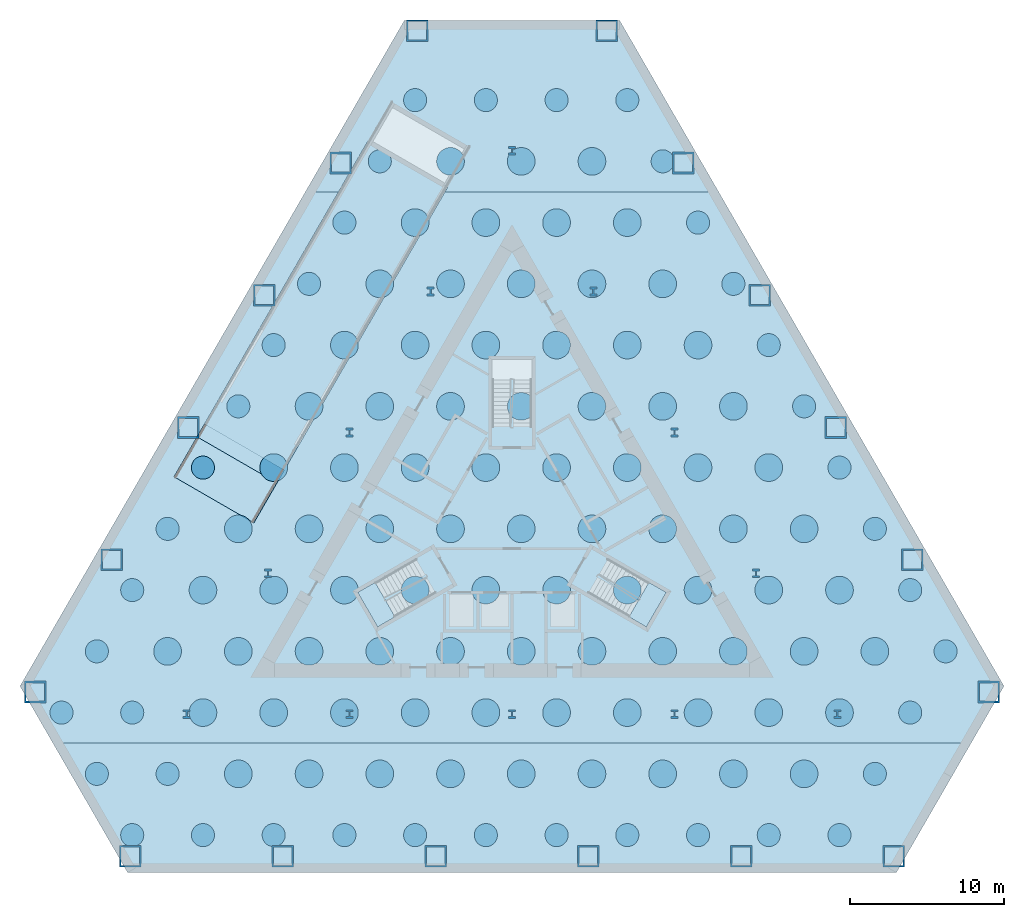
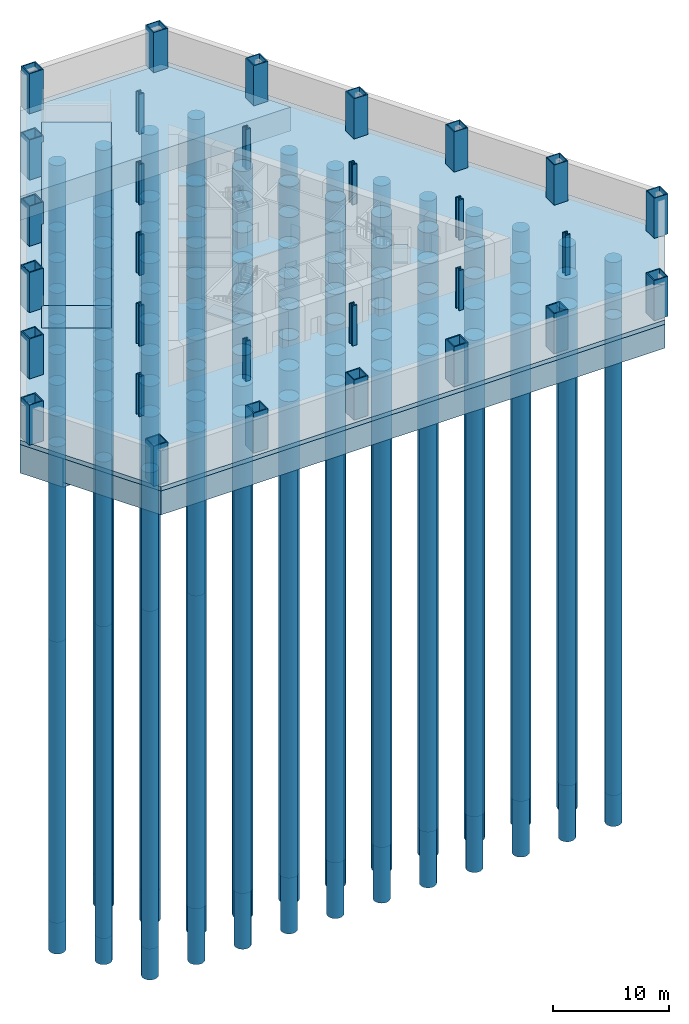
# One storey, part 1 of 6: 121 piles, 30 columns, 5 slabs, 3 footings, 2 elements without a shape of their own.
"""IFC4 building model written with IfcOpenShell, lengths in metres."""

from ifc_helpers import new_model, si_unit, direction, frame, origin, origin_2d, place, context, subcontext, project, spatial, polyline, hollow_rectangle, circle, i_section, outline, extrude, material, layer, layer_set, material_profile, profile_set, type_object, element, aggregate, save


model = new_model("IFC4")

# Units and contexts
model_context = context("Model", 3, precision=1e-05, world=origin(), true_north=direction((0.0, 1.0)))
body_context = subcontext(model_context, "Body", "Model", "MODEL_VIEW")
ifc_project = project(units=[si_unit("LENGTHUNIT", "METRE"), si_unit("AREAUNIT", "SQUARE_METRE"), si_unit("VOLUMEUNIT", "CUBIC_METRE"), si_unit("PLANEANGLEUNIT", "RADIAN"), si_unit("MASSUNIT", "GRAM", prefix="KILO")], contexts=[model_context])

# Site, building, storey
site_placement = place(None, origin())
site = spatial("IfcSite", under=ifc_project, at=site_placement, CompositionType="ELEMENT")
building_placement = place(site_placement, origin())
building = spatial("IfcBuilding", under=site, at=building_placement, Name="Cormorant Prow Tower", CompositionType="ELEMENT")
storey_placement = place(building_placement, frame((0.0, 0.0, -8.39990234375)))
storey = spatial("IfcBuildingStorey", under=building, at=storey_placement, Name="B2", CompositionType="ELEMENT", Elevation=-8.39990234375)

# Piles
ifc_material_1 = material(Name="Concrete C35/45", Category="concrete")
ifc_material_profile_1 = material_profile(ifc_material_1, circle(Radius=0.75, at=origin_2d()), Name="Round 1500")
ifc_profile_set_1 = profile_set([ifc_material_profile_1], Name="Concrete C35/45")
pile_type_1 = type_object("IfcPileType", Name="Bored pile 1500", PredefinedType="BORED", material=ifc_profile_set_1)
for number, where, z_axis, x_axis, name in (
    (1, (-24.699951171875, -20.081298828125, -2.800048828125), (0.0, 0.0, -1.0), (1.0, 0.0, 0.0), "Bored pile 1 under the raft"),
    (2, (-20.10009765625, -20.081298828125, -2.800048828125), (0.0, 0.0, -1.0), (1.0, 0.0, 0.0), "Bored pile 2 under the raft"),
    (3, (-15.5, -20.081298828125, -2.800048828125), (0.0, 0.0, -1.0), (1.0, 0.0, 0.0), "Bored pile 3 under the raft"),
    (4, (-10.89990234375, -20.081298828125, -2.800048828125), (0.0, 0.0, -1.0), (1.0, 0.0, 0.0), "Bored pile 4 under the raft"),
    (5, (-6.300048828125, -20.081298828125, -2.800048828125), (0.0, 0.0, -1.0), (1.0, 0.0, 0.0), "Bored pile 5 under the raft"),
    (6, (-1.699951171875, -20.081298828125, -2.800048828125), (0.0, 0.0, -1.0), (1.0, 0.0, 0.0), "Bored pile 6 under the raft"),
    (7, (2.89990234375, -20.081298828125, -2.800048828125), (0.0, 0.0, -1.0), (1.0, 0.0, 0.0), "Bored pile 7 under the raft"),
    (8, (7.5, -20.081298828125, -2.800048828125), (0.0, 0.0, -1.0), (1.0, 0.0, 0.0), "Bored pile 8 under the raft"),
    (9, (12.10009765625, -20.081298828125, -2.800048828125), (0.0, 0.0, -1.0), (1.0, 0.0, 0.0), "Bored pile 9 under the raft"),
    (10, (16.699951171875, -20.081298828125, -2.800048828125), (0.0, 0.0, -1.0), (1.0, 0.0, 0.0), "Bored pile 10 under the raft"),
    (11, (21.300048828125, -20.081298828125, -2.800048828125), (0.0, 0.0, -1.0), (1.0, 0.0, 0.0), "Bored pile 11 under the raft"),
    (12, (-27.0, -16.09765625, -2.800048828125), (0.0, 0.0, -1.0), (1.0, 0.0, 0.0), "Bored pile 12 under the raft"),
    (13, (-22.39990234375, -16.09765625, -2.800048828125), (0.0, 0.0, -1.0), (1.0, 0.0, 0.0), "Bored pile 13 under the raft"),
    (14, (23.60009765625, -16.09765625, -2.800048828125), (0.0, 0.0, -1.0), (1.0, 0.0, 0.0), "Bored pile 23 under the raft"),
    (15, (-29.300048828125, -12.114013671875, -3.300048828125), (0.0, 0.0, -1.0), (1.0, 0.0, 0.0), "Bored pile 24 under the raft"),
    (16, (-24.699951171875, -12.114013671875, -3.300048828125), (0.0, 0.0, -1.0), (1.0, 0.0, 0.0), "Bored pile 25 under the raft"),
    (17, (25.89990234375, -12.114013671875, -3.300048828125), (0.0, 0.0, -1.0), (1.0, 0.0, 0.0), "Bored pile 36 under the raft"),
    (18, (-27.0, -8.13037109375, -3.300048828125), (0.0, 0.0, -1.0), (1.0, 0.0, 0.0), "Bored pile 37 under the raft"),
    (19, (28.199951171875, -8.13037109375, -3.300048828125), (0.0, 0.0, -1.0), (1.0, 0.0, 0.0), "Bored pile 49 under the raft"),
    (20, (-24.699951171875, -4.146484375, -3.300048828125), (0.0, 0.0, -1.0), (1.0, 0.0, 0.0), "Bored pile 50 under the raft"),
    (21, (25.89990234375, -4.146484375, -3.300048828125), (0.0, 0.0, -1.0), (1.0, 0.0, 0.0), "Bored pile 61 under the raft"),
    (22, (-22.39990234375, -0.162841796875, -3.300048828125), (0.0, 0.0, -1.0), (1.0, 0.0, 0.0), "Bored pile 62 under the raft"),
    (23, (23.60009765625, -0.162841796875, -3.300048828125), (0.0, 0.0, -1.0), (1.0, 0.0, 0.0), "Bored pile 72 under the raft"),
    (24, (-20.10009765625, 3.82080078125, -3.300048828125), (0.0, 0.0, -1.0), (1.0, 0.0, 0.0), "Bored pile 73 under the raft"),
    (25, (21.300048828125, 3.82080078125, -3.300048828125), (0.0, 0.0, -1.0), (1.0, 0.0, 0.0), "Bored pile 82 under the raft"),
    (26, (-17.800048828125, 7.8046875, -3.300048828125), (0.0, 0.0, -1.0), (1.0, 0.0, 0.0), "Bored pile 83 under the raft"),
    (27, (19.0, 7.8046875, -3.300048828125), (0.0, 0.0, -1.0), (1.0, 0.0, 0.0), "Bored pile 91 under the raft"),
    (28, (-15.5, 11.788330078125, -3.300048828125), (0.0, 0.0, -1.0), (1.0, 0.0, 0.0), "Bored pile 92 under the raft"),
    (29, (16.699951171875, 11.788330078125, -3.300048828125), (0.0, 0.0, -1.0), (1.0, 0.0, 0.0), "Bored pile 99 under the raft"),
    (30, (-13.199951171875, 15.77197265625, -3.300048828125), (0.0, 0.0, -1.0), (1.0, 0.0, 0.0), "Bored pile 100 under the raft"),
    (31, (14.39990234375, 15.77197265625, -3.300048828125), (0.0, 0.0, -1.0), (1.0, 0.0, 0.0), "Bored pile 106 under the raft"),
    (32, (-10.89990234375, 19.755859375, -3.300048828125), (0.0, 0.0, -1.0), (1.0, 0.0, 0.0), "Bored pile 107 under the raft"),
    (33, (12.10009765625, 19.755859375, -3.300048828125), (0.0, 0.0, -1.0), (1.0, 0.0, 0.0), "Bored pile 112 under the raft"),
    (34, (-8.60009765625, 23.739501953125, -2.800048828125), (0.0, 0.0, -1.0), (1.0, 0.0, 0.0), "Bored pile 113 under the raft"),
    (35, (9.800048828125, 23.739501953125, -2.800048828125), (0.0, 0.0, -1.0), (1.0, 0.0, 0.0), "Bored pile 117 under the raft"),
    (36, (-6.300048828125, 27.72314453125, -2.800048828125), (0.0, 0.0, -1.0), (1.0, 0.0, 0.0), "Bored pile 118 under the raft"),
    (37, (-1.699951171875, 27.72314453125, -2.800048828125), (0.0, 0.0, -1.0), (1.0, 0.0, 0.0), "Bored pile 119 under the raft"),
    (38, (2.89990234375, 27.72314453125, -2.800048828125), (0.0, 0.0, -1.0), (1.0, 0.0, 0.0), "Bored pile 120 under the raft"),
    (39, (7.5, 27.72314453125, -2.800048828125), (0.0, 0.0, -1.0), (1.0, 0.0, 0.0), "Bored pile 121 under the raft"),
):
    element("IfcPile", number, at=place(storey_placement, frame(where, z_axis=z_axis, x_axis=x_axis)), inside=storey, type_object=pile_type_1, Name=name, PredefinedType="BORED", context=body_context, shape_type="SweptSolid", body=[
        extrude(circle(Radius=0.75, at=origin_2d()), origin(), (0.0, 0.0, 1.0), 50.0),
    ])
ifc_material_2 = material(Name="Concrete C35/45", Category="concrete")
ifc_material_profile_2 = material_profile(ifc_material_2, circle(Radius=0.89990234375, at=origin_2d()), Name="Round 1800")
ifc_profile_set_2 = profile_set([ifc_material_profile_2], Name="Concrete C35/45")
pile_type_2 = type_object("IfcPileType", Name="Bored pile 1800", PredefinedType="BORED", material=ifc_profile_set_2)
for number, where, z_axis, x_axis, name in (
    (40, (-17.800048828125, -16.09765625, -2.800048828125), (0.0, 0.0, -1.0), (1.0, 0.0, 0.0), "Bored pile 14 under the raft"),
    (41, (-13.199951171875, -16.09765625, -2.800048828125), (0.0, 0.0, -1.0), (1.0, 0.0, 0.0), "Bored pile 15 under the raft"),
    (42, (-8.60009765625, -16.09765625, -2.800048828125), (0.0, 0.0, -1.0), (1.0, 0.0, 0.0), "Bored pile 16 under the raft"),
    (43, (-4.0, -16.09765625, -2.800048828125), (0.0, 0.0, -1.0), (1.0, 0.0, 0.0), "Bored pile 17 under the raft"),
    (44, (0.60009765625, -16.09765625, -2.800048828125), (0.0, 0.0, -1.0), (1.0, 0.0, 0.0), "Bored pile 18 under the raft"),
    (45, (5.199951171875, -16.09765625, -2.800048828125), (0.0, 0.0, -1.0), (1.0, 0.0, 0.0), "Bored pile 19 under the raft"),
    (46, (9.800048828125, -16.09765625, -2.800048828125), (0.0, 0.0, -1.0), (1.0, 0.0, 0.0), "Bored pile 20 under the raft"),
    (47, (14.39990234375, -16.09765625, -2.800048828125), (0.0, 0.0, -1.0), (1.0, 0.0, 0.0), "Bored pile 21 under the raft"),
    (48, (19.0, -16.09765625, -2.800048828125), (0.0, 0.0, -1.0), (1.0, 0.0, 0.0), "Bored pile 22 under the raft"),
    (49, (-20.10009765625, -12.114013671875, -3.300048828125), (0.0, 0.0, -1.0), (1.0, 0.0, 0.0), "Bored pile 26 under the raft"),
    (50, (-15.5, -12.114013671875, -3.300048828125), (0.0, 0.0, -1.0), (1.0, 0.0, 0.0), "Bored pile 27 under the raft"),
    (51, (-10.89990234375, -12.114013671875, -3.300048828125), (0.0, 0.0, -1.0), (1.0, 0.0, 0.0), "Bored pile 28 under the raft"),
    (52, (-6.300048828125, -12.114013671875, -3.300048828125), (0.0, 0.0, -1.0), (1.0, 0.0, 0.0), "Bored pile 29 under the raft"),
    (53, (-1.699951171875, -12.114013671875, -3.300048828125), (0.0, 0.0, -1.0), (1.0, 0.0, 0.0), "Bored pile 30 under the raft"),
    (54, (2.89990234375, -12.114013671875, -3.300048828125), (0.0, 0.0, -1.0), (1.0, 0.0, 0.0), "Bored pile 31 under the raft"),
    (55, (7.5, -12.114013671875, -3.300048828125), (0.0, 0.0, -1.0), (1.0, 0.0, 0.0), "Bored pile 32 under the raft"),
    (56, (12.10009765625, -12.114013671875, -3.300048828125), (0.0, 0.0, -1.0), (1.0, 0.0, 0.0), "Bored pile 33 under the raft"),
    (57, (16.699951171875, -12.114013671875, -3.300048828125), (0.0, 0.0, -1.0), (1.0, 0.0, 0.0), "Bored pile 34 under the raft"),
    (58, (21.300048828125, -12.114013671875, -3.300048828125), (0.0, 0.0, -1.0), (1.0, 0.0, 0.0), "Bored pile 35 under the raft"),
    (59, (-22.39990234375, -8.13037109375, -3.300048828125), (0.0, 0.0, -1.0), (1.0, 0.0, 0.0), "Bored pile 38 under the raft"),
    (60, (-17.800048828125, -8.13037109375, -3.300048828125), (0.0, 0.0, -1.0), (1.0, 0.0, 0.0), "Bored pile 39 under the raft"),
    (61, (-13.199951171875, -8.13037109375, -3.300048828125), (0.0, 0.0, -1.0), (1.0, 0.0, 0.0), "Bored pile 40 under the raft"),
    (62, (-8.60009765625, -8.13037109375, -3.300048828125), (0.0, 0.0, -1.0), (1.0, 0.0, 0.0), "Bored pile 41 under the raft"),
    (63, (-4.0, -8.13037109375, -3.300048828125), (0.0, 0.0, -1.0), (1.0, 0.0, 0.0), "Bored pile 42 under the raft"),
    (64, (0.60009765625, -8.13037109375, -3.300048828125), (0.0, 0.0, -1.0), (1.0, 0.0, 0.0), "Bored pile 43 under the raft"),
    (65, (5.199951171875, -8.13037109375, -3.300048828125), (0.0, 0.0, -1.0), (1.0, 0.0, 0.0), "Bored pile 44 under the raft"),
    (66, (9.800048828125, -8.13037109375, -3.300048828125), (0.0, 0.0, -1.0), (1.0, 0.0, 0.0), "Bored pile 45 under the raft"),
    (67, (14.39990234375, -8.13037109375, -3.300048828125), (0.0, 0.0, -1.0), (1.0, 0.0, 0.0), "Bored pile 46 under the raft"),
    (68, (19.0, -8.13037109375, -3.300048828125), (0.0, 0.0, -1.0), (1.0, 0.0, 0.0), "Bored pile 47 under the raft"),
    (69, (23.60009765625, -8.13037109375, -3.300048828125), (0.0, 0.0, -1.0), (1.0, 0.0, 0.0), "Bored pile 48 under the raft"),
    (70, (-20.10009765625, -4.146484375, -3.300048828125), (0.0, 0.0, -1.0), (1.0, 0.0, 0.0), "Bored pile 51 under the raft"),
    (71, (-15.5, -4.146484375, -3.300048828125), (0.0, 0.0, -1.0), (1.0, 0.0, 0.0), "Bored pile 52 under the raft"),
    (72, (-10.89990234375, -4.146484375, -3.300048828125), (0.0, 0.0, -1.0), (1.0, 0.0, 0.0), "Bored pile 53 under the raft"),
    (73, (-6.300048828125, -4.146484375, -3.300048828125), (0.0, 0.0, -1.0), (1.0, 0.0, 0.0), "Bored pile 54 under the raft"),
    (74, (-1.699951171875, -4.146484375, -3.300048828125), (0.0, 0.0, -1.0), (1.0, 0.0, 0.0), "Bored pile 55 under the raft"),
    (75, (2.89990234375, -4.146484375, -3.300048828125), (0.0, 0.0, -1.0), (1.0, 0.0, 0.0), "Bored pile 56 under the raft"),
    (76, (7.5, -4.146484375, -3.300048828125), (0.0, 0.0, -1.0), (1.0, 0.0, 0.0), "Bored pile 57 under the raft"),
    (77, (12.10009765625, -4.146484375, -3.300048828125), (0.0, 0.0, -1.0), (1.0, 0.0, 0.0), "Bored pile 58 under the raft"),
    (78, (16.699951171875, -4.146484375, -3.300048828125), (0.0, 0.0, -1.0), (1.0, 0.0, 0.0), "Bored pile 59 under the raft"),
    (79, (21.300048828125, -4.146484375, -3.300048828125), (0.0, 0.0, -1.0), (1.0, 0.0, 0.0), "Bored pile 60 under the raft"),
    (80, (-17.800048828125, -0.162841796875, -3.300048828125), (0.0, 0.0, -1.0), (1.0, 0.0, 0.0), "Bored pile 63 under the raft"),
    (81, (-13.199951171875, -0.162841796875, -3.300048828125), (0.0, 0.0, -1.0), (1.0, 0.0, 0.0), "Bored pile 64 under the raft"),
    (82, (-8.60009765625, -0.162841796875, -3.300048828125), (0.0, 0.0, -1.0), (1.0, 0.0, 0.0), "Bored pile 65 under the raft"),
    (83, (-4.0, -0.162841796875, -3.300048828125), (0.0, 0.0, -1.0), (1.0, 0.0, 0.0), "Bored pile 66 under the raft"),
    (84, (0.60009765625, -0.162841796875, -3.300048828125), (0.0, 0.0, -1.0), (1.0, 0.0, 0.0), "Bored pile 67 under the raft"),
    (85, (5.199951171875, -0.162841796875, -3.300048828125), (0.0, 0.0, -1.0), (1.0, 0.0, 0.0), "Bored pile 68 under the raft"),
    (86, (9.800048828125, -0.162841796875, -3.300048828125), (0.0, 0.0, -1.0), (1.0, 0.0, 0.0), "Bored pile 69 under the raft"),
    (87, (14.39990234375, -0.162841796875, -3.300048828125), (0.0, 0.0, -1.0), (1.0, 0.0, 0.0), "Bored pile 70 under the raft"),
    (88, (19.0, -0.162841796875, -3.300048828125), (0.0, 0.0, -1.0), (1.0, 0.0, 0.0), "Bored pile 71 under the raft"),
    (89, (-15.5, 3.82080078125, -3.300048828125), (0.0, 0.0, -1.0), (1.0, 0.0, 0.0), "Bored pile 74 under the raft"),
    (90, (-10.89990234375, 3.82080078125, -3.300048828125), (0.0, 0.0, -1.0), (1.0, 0.0, 0.0), "Bored pile 75 under the raft"),
    (91, (-6.300048828125, 3.82080078125, -3.300048828125), (0.0, 0.0, -1.0), (1.0, 0.0, 0.0), "Bored pile 76 under the raft"),
    (92, (-1.699951171875, 3.82080078125, -3.300048828125), (0.0, 0.0, -1.0), (1.0, 0.0, 0.0), "Bored pile 77 under the raft"),
    (93, (2.89990234375, 3.82080078125, -3.300048828125), (0.0, 0.0, -1.0), (1.0, 0.0, 0.0), "Bored pile 78 under the raft"),
    (94, (7.5, 3.82080078125, -3.300048828125), (0.0, 0.0, -1.0), (1.0, 0.0, 0.0), "Bored pile 79 under the raft"),
    (95, (12.10009765625, 3.82080078125, -3.300048828125), (0.0, 0.0, -1.0), (1.0, 0.0, 0.0), "Bored pile 80 under the raft"),
    (96, (16.699951171875, 3.82080078125, -3.300048828125), (0.0, 0.0, -1.0), (1.0, 0.0, 0.0), "Bored pile 81 under the raft"),
    (97, (-13.199951171875, 7.8046875, -3.300048828125), (0.0, 0.0, -1.0), (1.0, 0.0, 0.0), "Bored pile 84 under the raft"),
    (98, (-8.60009765625, 7.8046875, -3.300048828125), (0.0, 0.0, -1.0), (1.0, 0.0, 0.0), "Bored pile 85 under the raft"),
    (99, (-4.0, 7.8046875, -3.300048828125), (0.0, 0.0, -1.0), (1.0, 0.0, 0.0), "Bored pile 86 under the raft"),
    (100, (0.60009765625, 7.8046875, -3.300048828125), (0.0, 0.0, -1.0), (1.0, 0.0, 0.0), "Bored pile 87 under the raft"),
    (101, (5.199951171875, 7.8046875, -3.300048828125), (0.0, 0.0, -1.0), (1.0, 0.0, 0.0), "Bored pile 88 under the raft"),
    (102, (9.800048828125, 7.8046875, -3.300048828125), (0.0, 0.0, -1.0), (1.0, 0.0, 0.0), "Bored pile 89 under the raft"),
    (103, (14.39990234375, 7.8046875, -3.300048828125), (0.0, 0.0, -1.0), (1.0, 0.0, 0.0), "Bored pile 90 under the raft"),
    (104, (-10.89990234375, 11.788330078125, -3.300048828125), (0.0, 0.0, -1.0), (1.0, 0.0, 0.0), "Bored pile 93 under the raft"),
    (105, (-6.300048828125, 11.788330078125, -3.300048828125), (0.0, 0.0, -1.0), (1.0, 0.0, 0.0), "Bored pile 94 under the raft"),
    (106, (-1.699951171875, 11.788330078125, -3.300048828125), (0.0, 0.0, -1.0), (1.0, 0.0, 0.0), "Bored pile 95 under the raft"),
    (107, (2.89990234375, 11.788330078125, -3.300048828125), (0.0, 0.0, -1.0), (1.0, 0.0, 0.0), "Bored pile 96 under the raft"),
    (108, (7.5, 11.788330078125, -3.300048828125), (0.0, 0.0, -1.0), (1.0, 0.0, 0.0), "Bored pile 97 under the raft"),
    (109, (12.10009765625, 11.788330078125, -3.300048828125), (0.0, 0.0, -1.0), (1.0, 0.0, 0.0), "Bored pile 98 under the raft"),
    (110, (-8.60009765625, 15.77197265625, -3.300048828125), (0.0, 0.0, -1.0), (1.0, 0.0, 0.0), "Bored pile 101 under the raft"),
    (111, (-4.0, 15.77197265625, -3.300048828125), (0.0, 0.0, -1.0), (1.0, 0.0, 0.0), "Bored pile 102 under the raft"),
    (112, (0.60009765625, 15.77197265625, -3.300048828125), (0.0, 0.0, -1.0), (1.0, 0.0, 0.0), "Bored pile 103 under the raft"),
    (113, (5.199951171875, 15.77197265625, -3.300048828125), (0.0, 0.0, -1.0), (1.0, 0.0, 0.0), "Bored pile 104 under the raft"),
    (114, (9.800048828125, 15.77197265625, -3.300048828125), (0.0, 0.0, -1.0), (1.0, 0.0, 0.0), "Bored pile 105 under the raft"),
    (115, (-6.300048828125, 19.755859375, -3.300048828125), (0.0, 0.0, -1.0), (1.0, 0.0, 0.0), "Bored pile 108 under the raft"),
    (116, (-1.699951171875, 19.755859375, -3.300048828125), (0.0, 0.0, -1.0), (1.0, 0.0, 0.0), "Bored pile 109 under the raft"),
    (117, (2.89990234375, 19.755859375, -3.300048828125), (0.0, 0.0, -1.0), (1.0, 0.0, 0.0), "Bored pile 110 under the raft"),
    (118, (7.5, 19.755859375, -3.300048828125), (0.0, 0.0, -1.0), (1.0, 0.0, 0.0), "Bored pile 111 under the raft"),
    (119, (-4.0, 23.739501953125, -2.800048828125), (0.0, 0.0, -1.0), (1.0, 0.0, 0.0), "Bored pile 114 under the raft"),
    (120, (0.60009765625, 23.739501953125, -2.800048828125), (0.0, 0.0, -1.0), (1.0, 0.0, 0.0), "Bored pile 115 under the raft"),
    (121, (5.199951171875, 23.739501953125, -2.800048828125), (0.0, 0.0, -1.0), (1.0, 0.0, 0.0), "Bored pile 116 under the raft"),
):
    element("IfcPile", number, at=place(storey_placement, frame(where, z_axis=z_axis, x_axis=x_axis)), inside=storey, type_object=pile_type_2, Name=name, PredefinedType="BORED", context=body_context, shape_type="SweptSolid", body=[
        extrude(circle(Radius=0.89990234375, at=origin_2d()), origin(), (0.0, 0.0, 1.0), 50.0),
    ])

# Footings
ifc_material_3 = material(Name="Concrete C40/50", Category="concrete")
ifc_layer_1 = layer(ifc_material_3, 2.5)
ifc_layer_set_1 = layer_set([ifc_layer_1], Name="Concrete C40/50")
footing_type_1 = type_object("IfcFootingType", Name="Piled raft 2500", PredefinedType="PAD_FOOTING", material=ifc_layer_set_1)
footing_1_placement = place(storey_placement, frame((0.0, 0.0, -2.9501953125)))
element("IfcFooting", 122, at=footing_1_placement, inside=storey, type_object=footing_type_1, Name="Piled south edge raft under the podium and tower", PredefinedType="PAD_FOOTING", context=body_context, shape_type="SweptSolid", body=[
    extrude(outline(polyline([(28.5, -16.45458984375), (29.85595703125, -14.10595703125), (-29.85595703125, -14.10595703125), (-28.5, -16.45458984375), (-25.0, -22.5166015625), (-20.0, -22.5166015625), (-15.0, -22.5166015625), (-10.0, -22.5166015625), (-5.0, -22.5166015625), (0.0, -22.5166015625), (5.0, -22.5166015625), (10.0, -22.5166015625), (15.0, -22.5166015625), (20.0, -22.5166015625), (25.0, -22.5166015625), (28.5, -16.45458984375)])), origin(), (0.0, 0.0, 1.0), 2.5),
])
footing_2_placement = place(storey_placement, frame((0.0, 0.0, -2.9501953125)))
element("IfcFooting", 123, at=footing_2_placement, inside=storey, type_object=footing_type_1, Name="Piled north edge raft under the podium and tower", PredefinedType="PAD_FOOTING", context=body_context, shape_type="SweptSolid", body=[
    extrude(outline(polyline([(-12.0, 24.248779296875), (-13.444091796875, 21.74755859375), (13.444091796875, 21.74755859375), (12.0, 24.248779296875), (9.5, 28.578857421875), (7.0, 32.908935546875), (0.0, 32.908935546875), (-7.0, 32.908935546875), (-9.5, 28.578857421875), (-12.0, 24.248779296875)])), origin(), (0.0, 0.0, 1.0), 2.5),
])
ifc_material_4 = material(Name="Concrete C40/50", Category="concrete")
ifc_layer_2 = layer(ifc_material_4, 3.0)
ifc_layer_set_2 = layer_set([ifc_layer_2], Name="Concrete C40/50")
footing_type_2 = type_object("IfcFootingType", Name="Piled raft 3000", PredefinedType="PAD_FOOTING", material=ifc_layer_set_2)
footing_3_placement = place(storey_placement, frame((0.0, 0.0, -3.4501953125)))
element("IfcFooting", 124, at=footing_3_placement, inside=storey, type_object=footing_type_2, Name="Piled core raft under the podium and tower", PredefinedType="PAD_FOOTING", context=body_context, shape_type="SweptSolid", body=[
    extrude(outline(polyline([(14.5, 19.918701171875), (13.444091796875, 21.74755859375), (-13.444091796875, 21.74755859375), (-14.5, 19.918701171875), (-17.0, 15.58837890625), (-19.5, 11.25830078125), (-22.0, 6.92822265625), (-24.5, 2.59814453125), (-27.0, -1.73193359375), (-29.5, -6.062255859375), (-32.0, -10.392333984375), (-29.85595703125, -14.10595703125), (29.85595703125, -14.10595703125), (32.0, -10.392333984375), (29.5, -6.062255859375), (27.0, -1.73193359375), (24.5, 2.59814453125), (22.0, 6.92822265625), (19.5, 11.25830078125), (17.0, 15.58837890625), (14.5, 19.918701171875)])), origin(), (0.0, 0.0, 1.0), 3.0),
])

# Columns
ifc_material_5 = material(Name="Structural steel ASTM A572 Gr 50", Category="steel")
ifc_material_profile_3 = material_profile(ifc_material_5, hollow_rectangle(XDim=1.39990234375, YDim=1.39990234375, WallThickness=0.10009765625, at=origin_2d()), Name="Box 1400x1400x100")
ifc_profile_set_3 = profile_set([ifc_material_profile_3], Name="Structural steel ASTM A572 Gr 50")
column_type_1 = type_object("IfcColumnType", Name="Perimeter box column 1400x1400x100", PredefinedType="COLUMN", material=ifc_profile_set_3)
for number, where, z_axis, x_axis, name in (
    (125, (-24.830322265625, -21.4599609375, 0.0), (0.0, 0.0, 1.0), (1.0, 0.0, 0.0), "Perimeter column at S00 B2"),
    (126, (-14.898193359375, -21.4599609375, 0.0), (0.0, 0.0, 1.0), (1.0, 0.0, 0.0), "Perimeter column at S02 B2"),
    (127, (-4.966064453125, -21.4599609375, 0.0), (0.0, 0.0, 1.0), (1.0, 0.0, 0.0), "Perimeter column at S04 B2"),
    (128, (4.966064453125, -21.4599609375, 0.0), (0.0, 0.0, 1.0), (1.0, 0.0, 0.0), "Perimeter column at S06 B2"),
    (129, (14.898193359375, -21.4599609375, 0.0), (0.0, 0.0, 1.0), (1.0, 0.0, 0.0), "Perimeter column at S08 B2"),
    (130, (24.830322265625, -21.4599609375, 0.0), (0.0, 0.0, 1.0), (1.0, 0.0, 0.0), "Perimeter column at ESE00 B2"),
    (131, (31.0, -10.773681640625, 0.0), (0.0, 0.0, 1.0), (1.0, 0.0, 0.0), "Perimeter column at ENE00 B2"),
    (132, (26.033935546875, -2.17236328125, 0.0), (0.0, 0.0, 1.0), (1.0, 0.0, 0.0), "Perimeter column at ENE02 B2"),
    (133, (21.06787109375, 6.42919921875, 0.0), (0.0, 0.0, 1.0), (1.0, 0.0, 0.0), "Perimeter column at ENE04 B2"),
    (134, (16.101806640625, 15.03076171875, 0.0), (0.0, 0.0, 1.0), (1.0, 0.0, 0.0), "Perimeter column at ENE06 B2"),
    (135, (11.1357421875, 23.632080078125, 0.0), (0.0, 0.0, 1.0), (1.0, 0.0, 0.0), "Perimeter column at ENE08 B2"),
    (136, (6.169677734375, 32.233642578125, 0.0), (0.0, 0.0, 1.0), (1.0, 0.0, 0.0), "Perimeter column at N00 B2"),
    (137, (-6.169677734375, 32.233642578125, 0.0), (0.0, 0.0, 1.0), (1.0, 0.0, 0.0), "Perimeter column at WNW00 B2"),
    (138, (-11.1357421875, 23.632080078125, 0.0), (0.0, 0.0, 1.0), (1.0, 0.0, 0.0), "Perimeter column at WNW02 B2"),
    (139, (-16.101806640625, 15.03076171875, 0.0), (0.0, 0.0, 1.0), (1.0, 0.0, 0.0), "Perimeter column at WNW04 B2"),
    (140, (-21.06787109375, 6.42919921875, 0.0), (0.0, 0.0, 1.0), (1.0, 0.0, 0.0), "Perimeter column at WNW06 B2"),
    (141, (-26.033935546875, -2.17236328125, 0.0), (0.0, 0.0, 1.0), (1.0, 0.0, 0.0), "Perimeter column at WNW08 B2"),
    (142, (-31.0, -10.773681640625, 0.0), (0.0, 0.0, 1.0), (1.0, 0.0, 0.0), "Perimeter column at WSW00 B2"),
):
    element("IfcColumn", number, at=place(storey_placement, frame(where, z_axis=z_axis, x_axis=x_axis)), inside=storey, type_object=column_type_1, Name=name, PredefinedType="COLUMN", context=body_context, shape_type="SweptSolid", body=[
        extrude(hollow_rectangle(XDim=1.39990234375, YDim=1.39990234375, WallThickness=0.10009765625, at=origin_2d()), origin(), (0.0, 0.0, 1.0), 4.199951171875),
    ])
ifc_material_6 = material(Name="Structural steel ASTM A992 Gr 50", Category="steel")
ifc_material_profile_4 = material_profile(ifc_material_6, i_section(OverallWidth=0.454345703125, OverallDepth=0.569580078125, WebThickness=0.077880859375, FlangeThickness=0.124755859375, at=origin_2d()), Name="W14x730")
ifc_profile_set_4 = profile_set([ifc_material_profile_4], Name="Structural steel ASTM A992 Gr 50")
column_type_2 = type_object("IfcColumnType", Name="Ring column W14x730", PredefinedType="COLUMN", material=ifc_profile_set_4)
for number, where, z_axis, x_axis, name in (
    (143, (0.0, 24.429931640625, 0.0), (0.0, 0.0, 1.0), (1.0, 0.0, 0.0), "Ring column 1 B2"),
    (144, (-5.289306640625, 15.268798828125, 0.0), (0.0, 0.0, 1.0), (1.0, 0.0, 0.0), "Ring column 2 B2"),
    (145, (-10.578369140625, 6.107421875, 0.0), (0.0, 0.0, 1.0), (1.0, 0.0, 0.0), "Ring column 3 B2"),
    (146, (-15.86767578125, -3.0537109375, 0.0), (0.0, 0.0, 1.0), (1.0, 0.0, 0.0), "Ring column 4 B2"),
    (147, (-21.156982421875, -12.21484375, 0.0), (0.0, 0.0, 1.0), (1.0, 0.0, 0.0), "Ring column 5 B2"),
    (148, (-10.578369140625, -12.21484375, 0.0), (0.0, 0.0, 1.0), (1.0, 0.0, 0.0), "Ring column 6 B2"),
    (149, (0.0, -12.21484375, 0.0), (0.0, 0.0, 1.0), (1.0, 0.0, 0.0), "Ring column 7 B2"),
    (150, (10.578369140625, -12.21484375, 0.0), (0.0, 0.0, 1.0), (1.0, 0.0, 0.0), "Ring column 8 B2"),
    (151, (21.156982421875, -12.21484375, 0.0), (0.0, 0.0, 1.0), (1.0, 0.0, 0.0), "Ring column 9 B2"),
    (152, (15.86767578125, -3.0537109375, 0.0), (0.0, 0.0, 1.0), (1.0, 0.0, 0.0), "Ring column 10 B2"),
    (153, (10.578369140625, 6.107421875, 0.0), (0.0, 0.0, 1.0), (1.0, 0.0, 0.0), "Ring column 11 B2"),
    (154, (5.289306640625, 15.268798828125, 0.0), (0.0, 0.0, 1.0), (1.0, 0.0, 0.0), "Ring column 12 B2"),
):
    element("IfcColumn", number, at=place(storey_placement, frame(where, z_axis=z_axis, x_axis=x_axis)), inside=storey, type_object=column_type_2, Name=name, PredefinedType="COLUMN", context=body_context, shape_type="SweptSolid", body=[
        extrude(i_section(OverallWidth=0.454345703125, OverallDepth=0.569580078125, WebThickness=0.077880859375, FlangeThickness=0.124755859375, at=origin_2d()), origin(), (0.0, 0.0, 1.0), 4.199951171875),
    ])

# Slab
ifc_material_7 = material(Name="Concrete C40/50", Category="concrete")
ifc_layer_3 = layer(ifc_material_7, 0.449951171875)
ifc_layer_set_3 = layer_set([ifc_layer_3], Name="Concrete C40/50")
slab_type_1 = type_object("IfcSlabType", Name="Slab on raft 450", PredefinedType="BASESLAB", material=ifc_layer_set_3)
slab_1_placement = place(storey_placement, frame((0.0, 0.0, -0.4501953125)))
element("IfcSlab", 155, at=slab_1_placement, inside=storey, type_object=slab_type_1, Name="Floor slab B2", PredefinedType="BASESLAB", context=body_context, shape_type="SweptSolid", body=[
    extrude(outline(polyline([(-28.5, -16.45458984375), (-25.0, -22.5166015625), (-20.0, -22.5166015625), (-15.0, -22.5166015625), (-10.0, -22.5166015625), (-5.0, -22.5166015625), (0.0, -22.5166015625), (5.0, -22.5166015625), (10.0, -22.5166015625), (15.0, -22.5166015625), (20.0, -22.5166015625), (25.0, -22.5166015625), (28.5, -16.45458984375), (32.0, -10.392333984375), (29.5, -6.062255859375), (27.0, -1.73193359375), (24.5, 2.59814453125), (22.0, 6.92822265625), (19.5, 11.25830078125), (17.0, 15.58837890625), (14.5, 19.918701171875), (12.0, 24.248779296875), (9.5, 28.578857421875), (7.0, 32.908935546875), (0.0, 32.908935546875), (-7.0, 32.908935546875), (-9.5, 28.578857421875), (-12.0, 24.248779296875), (-14.5, 19.918701171875), (-17.0, 15.58837890625), (-19.5, 11.25830078125), (-22.0, 6.92822265625), (-24.5, 2.59814453125), (-27.0, -1.73193359375), (-29.5, -6.062255859375), (-32.0, -10.392333984375), (-28.5, -16.45458984375)]), holes=[polyline([(-20.00830078125, 6.644287109375), (-14.812255859375, 3.644287109375), (-16.787353515625, 0.2236328125), (-21.9833984375, 3.2236328125), (-20.00830078125, 6.644287109375)])]), origin(), (0.0, 0.0, 1.0), 0.4501953125),
])

# Stair, slab
ifc_material_8 = material(Name="Exit stair 24 risers")
stair_type = type_object("IfcStairType", Name="Exit stair 24 risers", PredefinedType="HALF_TURN_STAIR", material=ifc_material_8)
stair_1_placement = place(storey_placement, origin())
stair_1 = element("IfcStair", 156, at=stair_1_placement, inside=storey, type_object=stair_type, Name="B2 Exit stair ST1", PredefinedType="HALF_TURN_STAIR")
ifc_material_9 = material(Name="Concrete 5000 psi", Category="concrete")
ifc_layer_4 = layer(ifc_material_9, 0.199951171875)
ifc_layer_set_4 = layer_set([ifc_layer_4], Name="Concrete 5000 psi")
slab_type_2 = type_object("IfcSlabType", Name="Stair landing 200", PredefinedType="LANDING", material=ifc_layer_set_4)
slab_2_placement = place(storey_placement, frame((0.0, 0.0, 1.89990234375)))
slab_2 = element("IfcSlab", 157, at=slab_2_placement, type_object=slab_type_2, Name="ST1 landing 1", PredefinedType="LANDING", context=body_context, shape_type="SweptSolid", body=[
    extrude(outline(polyline([(-8.90185546875, -3.645263671875), (-10.031982421875, -4.2978515625), (-8.738037109375, -6.5390625), (-7.60791015625, -5.886474609375), (-8.90185546875, -3.645263671875)])), origin(), (0.0, 0.0, 1.0), 0.199951171875),
])
aggregate(stair_1, [slab_2])

stair_2_placement = place(storey_placement, origin())
stair_2 = element("IfcStair", 158, at=stair_2_placement, inside=storey, type_object=stair_type, Name="B2 Exit stair ST2", PredefinedType="HALF_TURN_STAIR")
slab_3_placement = place(storey_placement, frame((0.0, 0.0, 1.89990234375)))
slab_3 = element("IfcSlab", 159, at=slab_3_placement, type_object=slab_type_2, Name="ST2 landing 1", PredefinedType="LANDING", context=body_context, shape_type="SweptSolid", body=[
    extrude(outline(polyline([(7.60791015625, -5.886474609375), (8.738037109375, -6.5390625), (10.031982421875, -4.2978515625), (8.90185546875, -3.645263671875), (7.60791015625, -5.886474609375)])), origin(), (0.0, 0.0, 1.0), 0.199951171875),
])
aggregate(stair_2, [slab_3])

# Slabs
ifc_material_10 = material(Name="Concrete 5000 psi", Category="concrete")
ifc_layer_5 = layer(ifc_material_10, 0.39990234375)
ifc_layer_set_5 = layer_set([ifc_layer_5], Name="Concrete 5000 psi")
slab_type_3 = type_object("IfcSlabType", Name="Vehicle ramp R2 slab 400", PredefinedType="USERDEFINED", material=ifc_layer_set_5)
slab_4_placement = place(storey_placement, frame((-4.187255859375, 22.04736328125, 3.949951171875), z_axis=(-0.08219912762, -0.142372349825, 0.986394149123), x_axis=(-0.493186224171, -0.854248655672, -0.164397635538)))
element("IfcSlab", 160, at=slab_4_placement, inside=storey, type_object=slab_type_3, Name="Vehicle ramp R2 slab 2", ObjectType="RAMP SLAB", PredefinedType="USERDEFINED", context=body_context, shape_type="SweptSolid", body=[
    extrude(outline(polyline([(0.0, 0.0), (1.5004538323411536, 7.053073945197108e-17), (3.0008675285408186, 5.890211720844076e-10), (4.501072667939782, -0.00012206653391416809), (6.001735057081637, 1.1780423441688152e-09), (7.501940196480601, -0.00012206594489277396), (9.002353892680265, -0.0001220653558721165), (10.50280772502142, -0.00012206535587160187), (12.003341828014094, -0.0003334982515983364), (13.50375552421376, -0.00033349766257723487), (15.004209356554913, -0.0003334976625780525), (16.504623052754578, -0.00033349707355606275), (18.005036748954243, -0.0003334964845349612), (19.505490581295398, -0.0003334964845340025), (21.005695720694362, -0.0004555636074691206), (22.506109416894027, -0.0004555630184480191), (22.505981225518514, -6.0003624634349215), (21.00556752931885, -6.000362464023941), (19.505362389919885, -6.000240396901006), (18.004908557578734, -6.000240396901007), (16.50449486137907, -6.000240397490028), (15.004081165179402, -6.000240398079048), (13.503627332838251, -6.000240398079048), (12.003213636638584, -6.000240398668069), (10.50279994043892, -6.000240399257091), (9.002346108097765, -6.000240399257091), (7.501932411898101, -6.0002403998461125), (6.001727272499137, -6.000118332723177), (4.501064883357282, -6.000240400435133), (3.000739337165308, -5.99990689982745), (1.5003256409656427, -5.999906900416471), (-0.00012819137551112192, -5.999906900416471), (0.0, 0.0)])), origin(), (0.164397635538, -2.41263e-06, -0.986394149123), 0.405517578125),
])
slab_5_placement = place(storey_placement, frame((-15.287353515625, 2.82177734375, 0.25), z_axis=(-0.041522570954, -0.071917714649, 0.996545893786), x_axis=(-0.498298237598, -0.863019457968, -0.083043853331)))
element("IfcSlab", 161, at=slab_5_placement, inside=storey, type_object=slab_type_3, Name="Vehicle ramp R2 slab 3", ObjectType="RAMP SLAB", PredefinedType="USERDEFINED", context=body_context, shape_type="SweptSolid", body=[
    extrude(outline(polyline([(0.0, 0.0), (1.0034291518190759, 7.764242807711819e-17), (2.0070487273697526, 0.00012207606764354987), (3.0104576048105742, 0.00012207565656365688), (3.01057925795597, -5.999784824899768), (2.007170380515148, -5.999784824488687), (1.0035508049644717, -5.999906900556332), (0.0001216531453955838, -5.999906900556331), (0.0, 0.0)])), origin(), (0.083043853331, 1.683784e-06, -0.996545893786), 0.4013671875),
])

save(model, "model.ifc")
